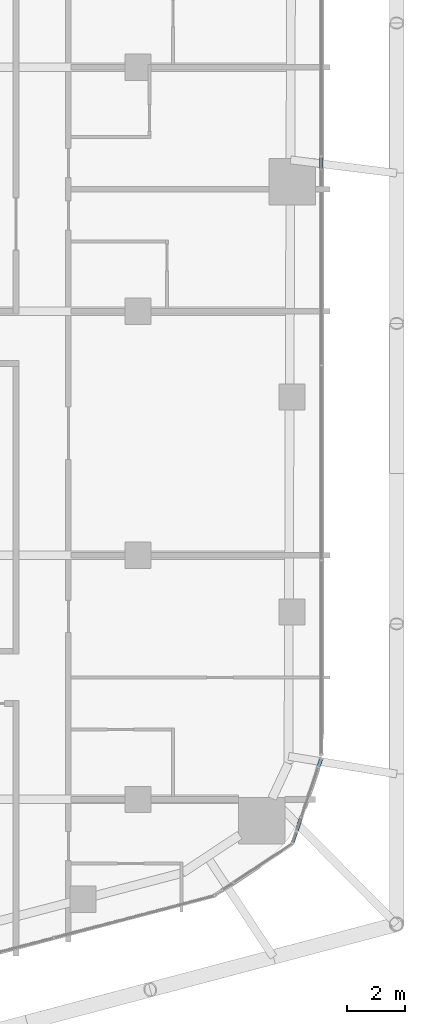
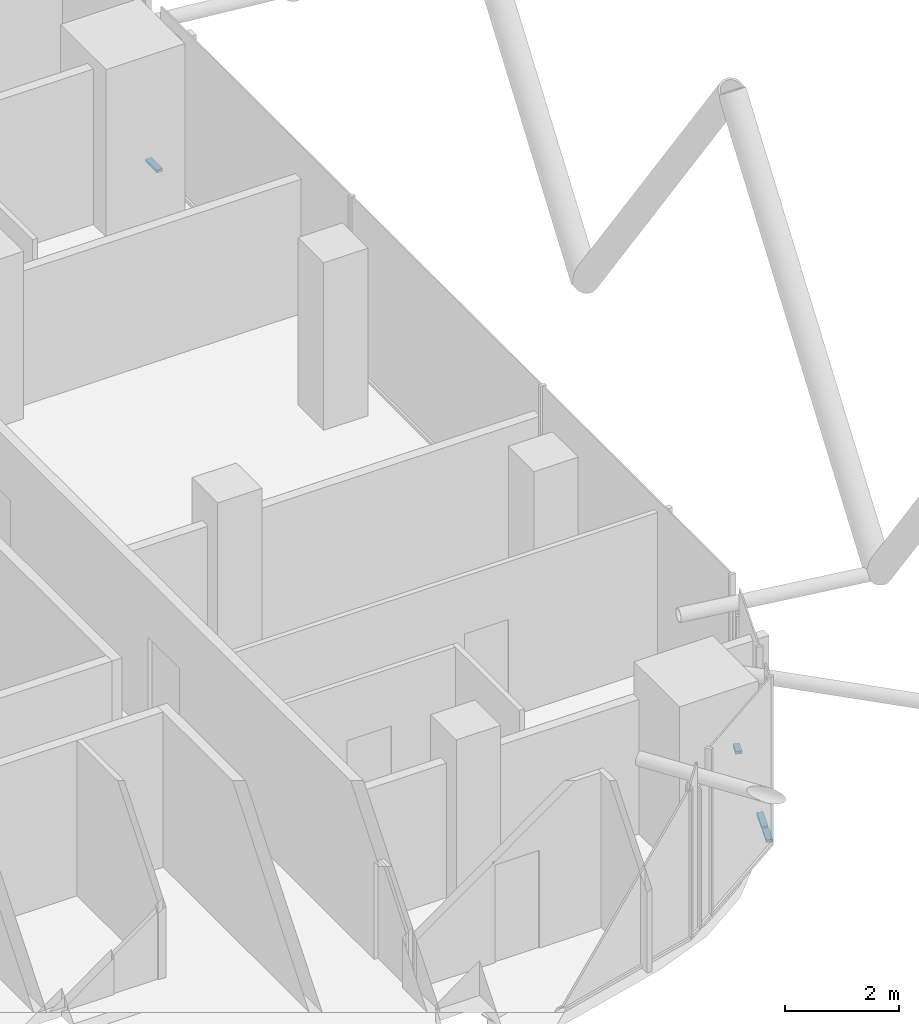
# One storey, part 16 of 36: 4 members, 4 elements without a shape of their own.
"""IFC4 building model written with IfcOpenShell, lengths in metres."""

from ifc_helpers import new_model, si_unit, direction, frame, origin, origin_2d, place, context, subcontext, project, spatial, rectangle, extrude, material, layer, layer_set, material_profile, profile_set, type_object, element, aggregate, save


model = new_model("IFC4")

# Units and contexts
model_context = context("Model", 3, precision=1e-05, world=origin(), true_north=direction((0.0, 1.0)))
body_context = subcontext(model_context, "Body", "Model", "MODEL_VIEW")
ifc_project = project(units=[si_unit("LENGTHUNIT", "METRE"), si_unit("AREAUNIT", "SQUARE_METRE"), si_unit("VOLUMEUNIT", "CUBIC_METRE"), si_unit("PLANEANGLEUNIT", "RADIAN"), si_unit("MASSUNIT", "GRAM", prefix="KILO")], contexts=[model_context])

# Site, building, storey
site_placement = place(None, origin())
site = spatial("IfcSite", under=ifc_project, at=site_placement, CompositionType="ELEMENT")
building_placement = place(site_placement, origin())
building = spatial("IfcBuilding", under=site, at=building_placement, Name="Marenta Gate Hotel Tower", CompositionType="ELEMENT")
storey_placement = place(building_placement, frame((0.0, 0.0, 115.699951171875)))
storey = spatial("IfcBuildingStorey", under=building, at=storey_placement, Name="L25", CompositionType="ELEMENT", Elevation=115.699951171875)

# Curtain wall, member
ifc_material_1 = material(Name="Tinted insulated glass in bronze anodised frame", Category="glass")
ifc_layer = layer(ifc_material_1, 0.1201171875)
ifc_layer_set = layer_set([ifc_layer], Name="Tinted insulated glass in bronze anodised frame")
curtain_wall_type = type_object("IfcCurtainWallType", Name="Tower unitised curtain wall CW1", PredefinedType="NOTDEFINED", material=ifc_layer_set)
curtain_wall_1_placement = place(storey_placement, origin())
curtain_wall_1 = element("IfcCurtainWall", 1, at=curtain_wall_1_placement, inside=storey, type_object=curtain_wall_type, Name="CW1 run G29", PredefinedType="NOTDEFINED")
ifc_material_2 = material(Name="Bronze anodised aluminium", Category="aluminium")
ifc_material_profile = material_profile(ifc_material_2, rectangle(XDim=0.1201171875, YDim=0.06005859375, at=origin_2d()), Name="Transom CW1 60x120 bronze anodised aluminium")
ifc_profile_set = profile_set([ifc_material_profile], Name="Bronze anodised aluminium")
member_type = type_object("IfcMemberType", Name="Transom CW1 60x120 bronze anodised aluminium", PredefinedType="USERDEFINED", material=ifc_profile_set)
member_1_placement = place(storey_placement, frame((26.32421875, -18.27783203125, 0.030029296875), z_axis=(0.322187955567, 0.946675721294, 0.0), x_axis=(-0.946675721294, 0.322187955567, 0.0)))
member_1 = element("IfcMember", 2, at=member_1_placement, type_object=member_type, Name="CW1 transom 1.1", ObjectType="TRANSOM", PredefinedType="USERDEFINED", context=body_context, shape_type="SweptSolid", body=[
    extrude(rectangle(XDim=0.1201171875, YDim=0.06005859375, at=origin_2d()), origin(), (0.0, 0.0, 1.0), 0.3681640625),
])
aggregate(curtain_wall_1, [member_1])

curtain_wall_2_placement = place(storey_placement, origin())
curtain_wall_2 = element("IfcCurtainWall", 3, at=curtain_wall_2_placement, inside=storey, type_object=curtain_wall_type, Name="CW1 run G30", PredefinedType="NOTDEFINED")
member_2_placement = place(storey_placement, frame((26.462158203125, -17.872314453125, 0.030029296875), z_axis=(0.321804616278, 0.946806098915, 0.0), x_axis=(-0.946806098915, 0.321804616278, 0.0)))
member_2 = element("IfcMember", 4, at=member_2_placement, type_object=member_type, Name="CW1 transom 1.1", ObjectType="TRANSOM", PredefinedType="USERDEFINED", context=body_context, shape_type="SweptSolid", body=[
    extrude(rectangle(XDim=0.1201171875, YDim=0.06005859375, at=origin_2d()), origin(), (0.0, 0.0, 1.0), 0.446044921875),
])
aggregate(curtain_wall_2, [member_2])

curtain_wall_3_placement = place(storey_placement, origin())
curtain_wall_3 = element("IfcCurtainWall", 5, at=curtain_wall_3_placement, inside=storey, type_object=curtain_wall_type, Name="CW1 run G32", PredefinedType="NOTDEFINED")
member_3_placement = place(storey_placement, frame((27.21533203125, -15.65771484375, 0.030029296875), z_axis=(0.322471894832, 0.946579038984, 0.0), x_axis=(-0.946579038984, 0.322471894832, 0.0)))
member_3 = element("IfcMember", 6, at=member_3_placement, type_object=member_type, Name="CW1 transom 1.1", ObjectType="TRANSOM", PredefinedType="USERDEFINED", context=body_context, shape_type="SweptSolid", body=[
    extrude(rectangle(XDim=0.1201171875, YDim=0.06005859375, at=origin_2d()), origin(), (0.0, 0.0, 1.0), 0.24609375),
])
aggregate(curtain_wall_3, [member_3])

curtain_wall_4_placement = place(storey_placement, origin())
curtain_wall_4 = element("IfcCurtainWall", 7, at=curtain_wall_4_placement, inside=storey, type_object=curtain_wall_type, Name="CW1 run G34", PredefinedType="NOTDEFINED")
member_4_placement = place(storey_placement, frame((27.31396484375, 4.906982421875, 0.030029296875), z_axis=(0.0, 1.0, 0.0), x_axis=(-1.0, 0.0, 0.0)))
member_4 = element("IfcMember", 8, at=member_4_placement, type_object=member_type, Name="CW1 transom 1.1", ObjectType="TRANSOM", PredefinedType="USERDEFINED", context=body_context, shape_type="SweptSolid", body=[
    extrude(rectangle(XDim=0.1201171875, YDim=0.06005859375, at=origin_2d()), origin(), (0.0, 0.0, 1.0), 0.396728515625),
])
aggregate(curtain_wall_4, [member_4])

save(model, "model.ifc")
